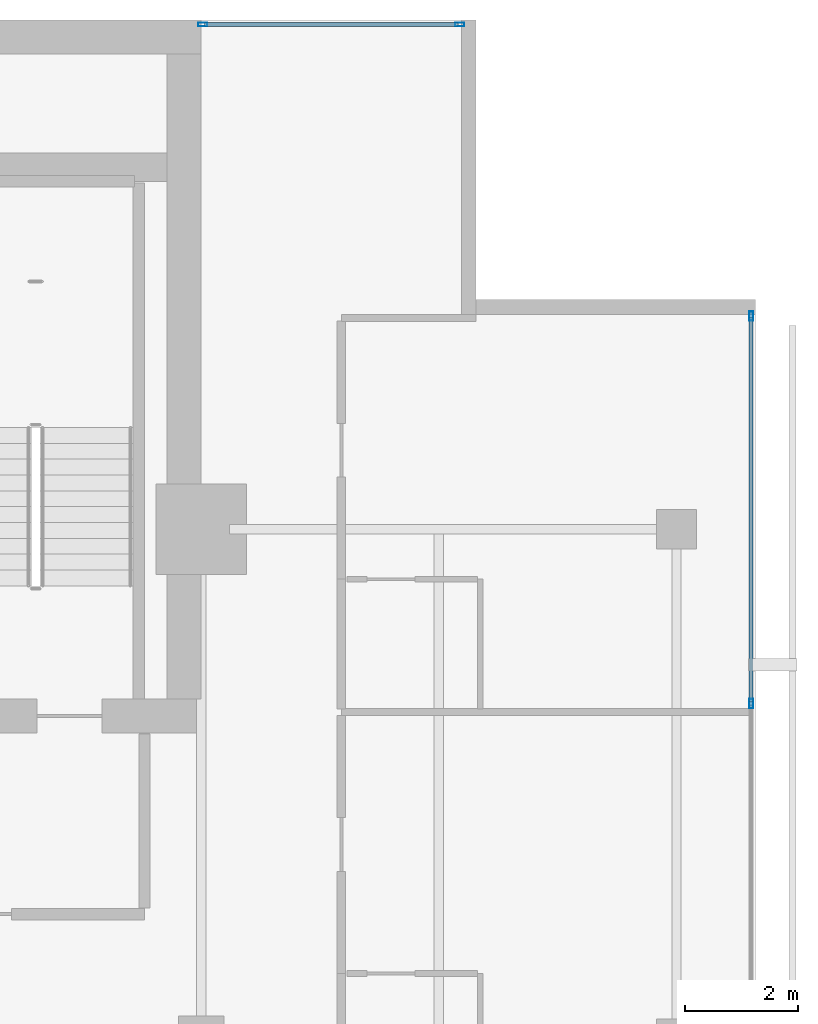
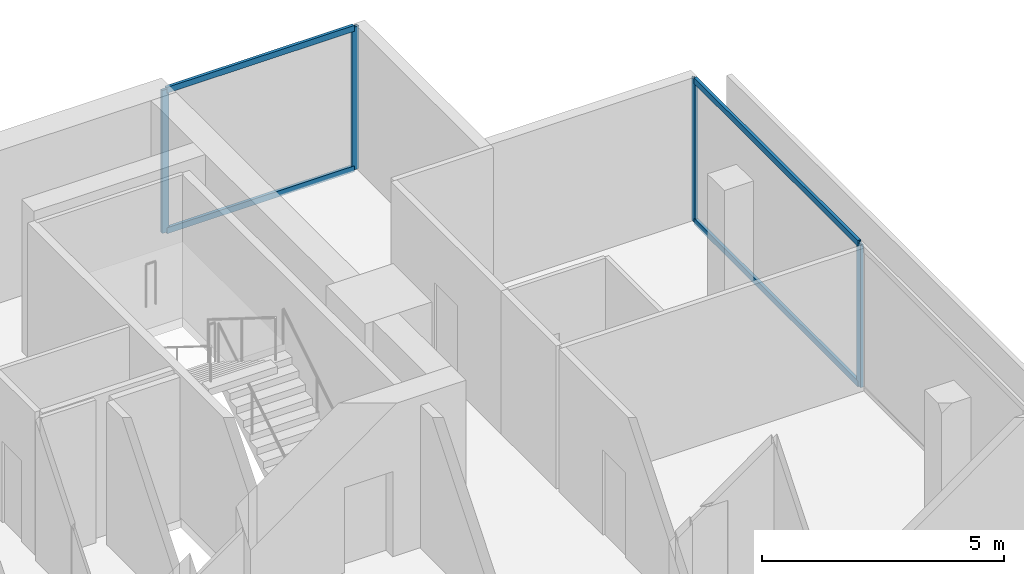
# One storey, part 18 of 25: 8 members, 2 elements without a shape of their own.
"""IFC4 building model written with IfcOpenShell, lengths in metres."""

from ifc_helpers import new_model, si_unit, direction, frame, origin, origin_2d, place, context, subcontext, project, spatial, hollow_rectangle, extrude, material, layer, layer_set, material_profile, profile_set, type_object, element, aggregate, save


model = new_model("IFC4")

# Units and contexts
model_context = context("Model", 3, precision=1e-05, world=origin(), true_north=direction((0.0, 1.0)))
body_context = subcontext(model_context, "Body", "Model", "MODEL_VIEW")
ifc_project = project(units=[si_unit("LENGTHUNIT", "METRE"), si_unit("AREAUNIT", "SQUARE_METRE"), si_unit("VOLUMEUNIT", "CUBIC_METRE"), si_unit("PLANEANGLEUNIT", "RADIAN"), si_unit("MASSUNIT", "GRAM", prefix="KILO")], contexts=[model_context])

# Site, building, storey
site_placement = place(None, origin())
site = spatial("IfcSite", under=ifc_project, at=site_placement, CompositionType="ELEMENT")
building_placement = place(site_placement, origin())
building = spatial("IfcBuilding", under=site, at=building_placement, Name="Maruvema Waterfront Hotel and Observation Tower", CompositionType="ELEMENT")
storey_placement = place(building_placement, frame((0.0, 0.0, 297.14990234375)))
storey = spatial("IfcBuildingStorey", under=building, at=storey_placement, Name="L73", CompositionType="ELEMENT", Elevation=297.14990234375)

# Curtain wall, members
ifc_material_1 = material(Name="Anodised bronze aluminium and solar-control low-E IGU", Category="aluminium")
ifc_layer = layer(ifc_material_1, 0.159912109375, Name="Zone 3 Champagne Inner Thermal Curtain Wall System CW-04")
ifc_layer_set = layer_set([ifc_layer], Name="Anodised bronze aluminium and solar-control low-E IGU")
curtain_wall_type = type_object("IfcCurtainWallType", Name="Zone 3 Champagne Inner Thermal Curtain Wall System CW-04", PredefinedType="USERDEFINED", material=ifc_layer_set)
curtain_wall_1_placement = place(storey_placement, origin())
curtain_wall_1 = element("IfcCurtainWall", 1, at=curtain_wall_1_placement, inside=storey, type_object=curtain_wall_type, Name="L73 Curtain Wall CW-L73-E", ObjectType="UNITISED CURTAIN WALL", PredefinedType="USERDEFINED")
ifc_material_2 = material(Name="Anodised architectural bronze aluminium", Category="aluminium")
ifc_material_profile_1 = material_profile(ifc_material_2, hollow_rectangle(XDim=0.070068359375, YDim=0.14990234375, WallThickness=0.00390625, at=origin_2d()), Name="ALU-T70x150")
ifc_profile_set_1 = profile_set([ifc_material_profile_1], Name="Anodised architectural bronze aluminium")
member_type_1 = type_object("IfcMemberType", Name="Curtain Wall Horizontal Transom ALU-T70x150", PredefinedType="USERDEFINED", material=ifc_profile_set_1)
member_1_placement = place(storey_placement, frame((60.1201171875, 41.949951171875, 0.030029296875), z_axis=(0.0, 1.0, 0.0), x_axis=(-1.0, 0.0, 0.0)))
member_1 = element("IfcMember", 2, at=member_1_placement, type_object=member_type_1, Name="CW-04 transom 5.1", ObjectType="TRANSOM", PredefinedType="USERDEFINED", context=body_context, shape_type="SweptSolid", body=[
    extrude(hollow_rectangle(XDim=0.070068359375, YDim=0.14990234375, WallThickness=0.00390625, at=origin_2d()), origin(), (0.0, 0.0, 1.0), 6.7900390625),
])
member_2_placement = place(storey_placement, frame((60.1201171875, 41.949951171875, 3.580078125), z_axis=(0.0, 1.0, 0.0), x_axis=(-1.0, 0.0, 0.0)))
member_2 = element("IfcMember", 3, at=member_2_placement, type_object=member_type_1, Name="CW-04 transom 5.2", ObjectType="TRANSOM", PredefinedType="USERDEFINED", context=body_context, shape_type="SweptSolid", body=[
    extrude(hollow_rectangle(XDim=0.070068359375, YDim=0.14990234375, WallThickness=0.00390625, at=origin_2d()), origin(), (0.0, 0.0, 1.0), 6.7900390625),
])

curtain_wall_2_placement = place(storey_placement, origin())
curtain_wall_2 = element("IfcCurtainWall", 4, at=curtain_wall_2_placement, inside=storey, type_object=curtain_wall_type, Name="L73 Curtain Wall CW-L73-NE", ObjectType="UNITISED CURTAIN WALL", PredefinedType="USERDEFINED")
member_3_placement = place(storey_placement, frame((54.93994140625, 53.919921875, 0.030029296875), z_axis=(-1.0, 0.0, 0.0), x_axis=(0.0, -1.0, 0.0)))
member_3 = element("IfcMember", 5, at=member_3_placement, type_object=member_type_1, Name="CW-04 transom 1.1", ObjectType="TRANSOM", PredefinedType="USERDEFINED", context=body_context, shape_type="SweptSolid", body=[
    extrude(hollow_rectangle(XDim=0.070068359375, YDim=0.14990234375, WallThickness=0.00390625, at=origin_2d()), origin(), (0.0, 0.0, 1.0), 4.47998046875),
])
member_4_placement = place(storey_placement, frame((54.93994140625, 53.919921875, 3.580078125), z_axis=(-1.0, 0.0, 0.0), x_axis=(0.0, -1.0, 0.0)))
member_4 = element("IfcMember", 6, at=member_4_placement, type_object=member_type_1, Name="CW-04 transom 1.2", ObjectType="TRANSOM", PredefinedType="USERDEFINED", context=body_context, shape_type="SweptSolid", body=[
    extrude(hollow_rectangle(XDim=0.070068359375, YDim=0.14990234375, WallThickness=0.00390625, at=origin_2d()), origin(), (0.0, 0.0, 1.0), 4.47998046875),
])

# Member
ifc_material_3 = material(Name="Anodised architectural bronze aluminium", Category="aluminium")
ifc_material_profile_2 = material_profile(ifc_material_3, hollow_rectangle(XDim=0.06494140625, YDim=0.1650390625, WallThickness=0.00390625, at=origin_2d()), Name="ALU-M65x165")
ifc_profile_set_2 = profile_set([ifc_material_profile_2], Name="Anodised architectural bronze aluminium")
member_type_2 = type_object("IfcMemberType", Name="Curtain Wall Primary Mullion ALU-M65x165", PredefinedType="MULLION", material=ifc_profile_set_2)
member_5_placement = place(storey_placement, frame((60.1201171875, 41.919921875, 0.0), z_axis=(0.0, 0.0, 1.0), x_axis=(-1.0, 0.0, 0.0)))
member_5 = element("IfcMember", 7, at=member_5_placement, type_object=member_type_2, Name="CW-04 mullion 5", PredefinedType="MULLION", context=body_context, shape_type="SweptSolid", body=[
    extrude(hollow_rectangle(XDim=0.06494140625, YDim=0.1650390625, WallThickness=0.00390625, at=origin_2d()), origin(), (0.0, 0.0, 1.0), 3.610107421875),
])

member_6_placement = place(storey_placement, frame((60.1201171875, 48.77001953125, 0.0), z_axis=(0.0, 0.0, 1.0), x_axis=(-1.0, 0.0, 0.0)))
member_6 = element("IfcMember", 8, at=member_6_placement, type_object=member_type_2, Name="CW-04 mullion 6", PredefinedType="MULLION", context=body_context, shape_type="SweptSolid", body=[
    extrude(hollow_rectangle(XDim=0.06494140625, YDim=0.1650390625, WallThickness=0.00390625, at=origin_2d()), origin(), (0.0, 0.0, 1.0), 3.610107421875),
])

aggregate(curtain_wall_1, [member_5, member_6, member_1, member_2])

member_7_placement = place(storey_placement, frame((54.969970703125, 53.919921875, 0.0), z_axis=(0.0, 0.0, 1.0), x_axis=(0.0, -1.0, 0.0)))
member_7 = element("IfcMember", 9, at=member_7_placement, type_object=member_type_2, Name="CW-04 mullion 1", PredefinedType="MULLION", context=body_context, shape_type="SweptSolid", body=[
    extrude(hollow_rectangle(XDim=0.06494140625, YDim=0.1650390625, WallThickness=0.00390625, at=origin_2d()), origin(), (0.0, 0.0, 1.0), 3.610107421875),
])

member_8_placement = place(storey_placement, frame((50.429931640625, 53.919921875, 0.0), z_axis=(0.0, 0.0, 1.0), x_axis=(0.0, -1.0, 0.0)))
member_8 = element("IfcMember", 10, at=member_8_placement, type_object=member_type_2, Name="CW-04 mullion 2", PredefinedType="MULLION", context=body_context, shape_type="SweptSolid", body=[
    extrude(hollow_rectangle(XDim=0.06494140625, YDim=0.1650390625, WallThickness=0.00390625, at=origin_2d()), origin(), (0.0, 0.0, 1.0), 3.610107421875),
])

aggregate(curtain_wall_2, [member_7, member_8, member_3, member_4])

save(model, "model.ifc")
